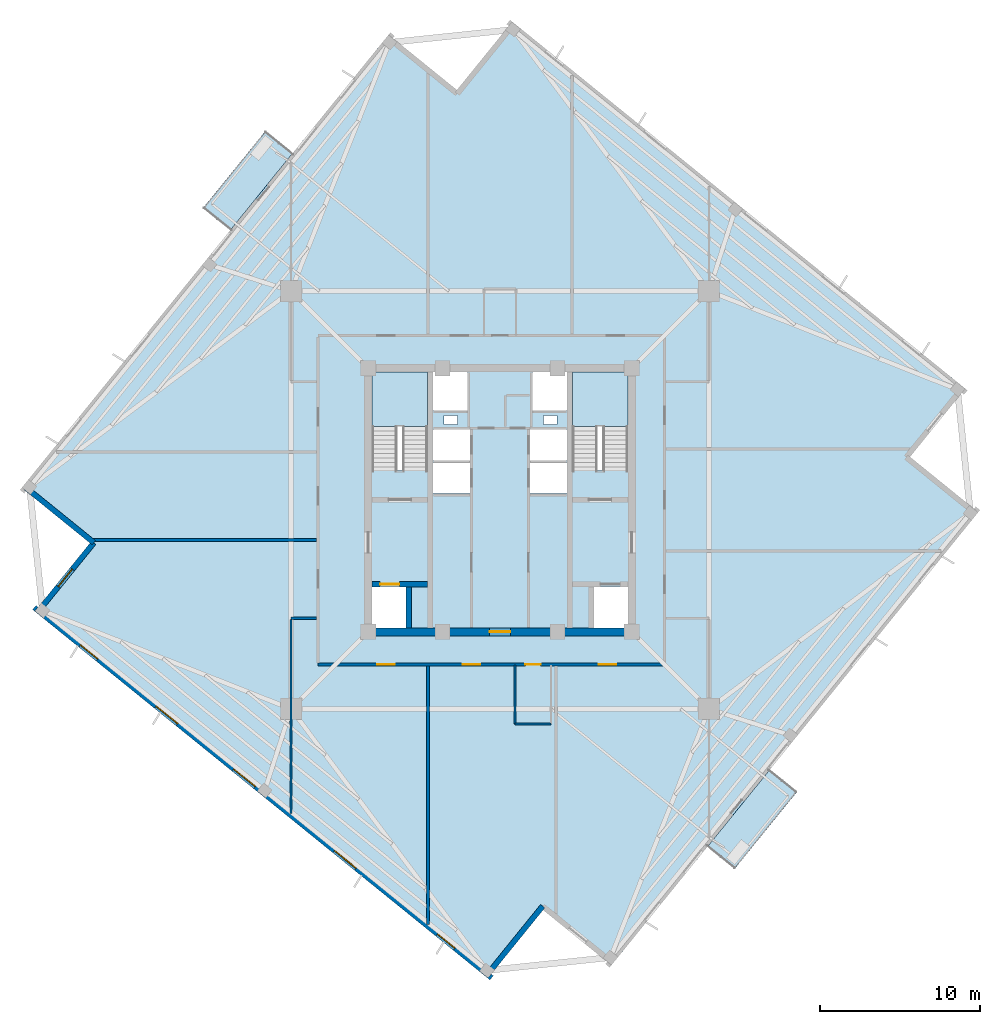
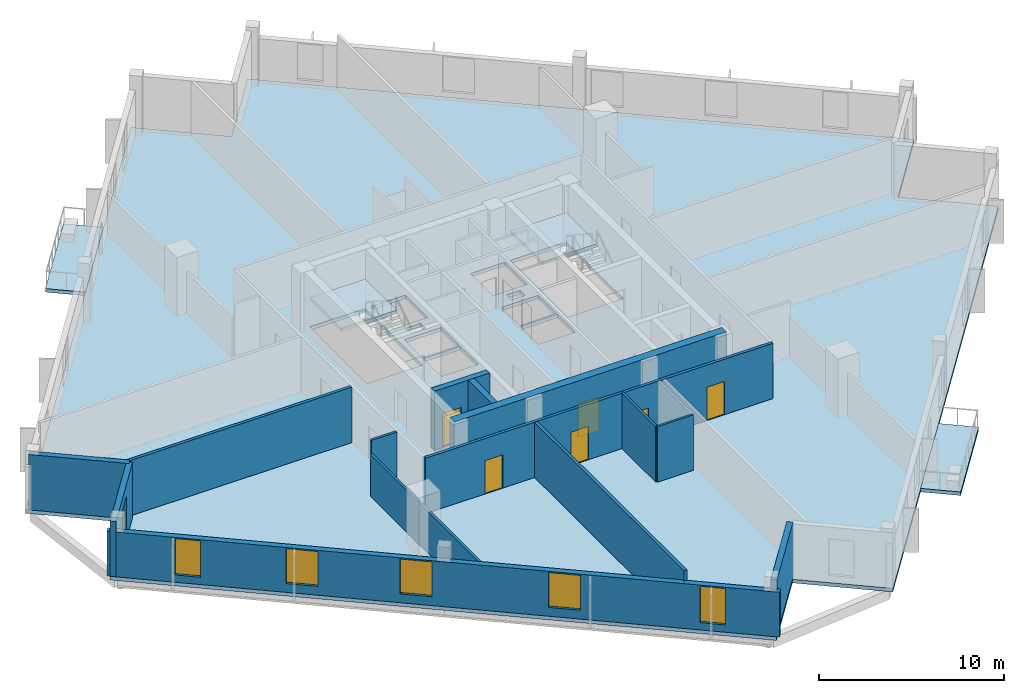
# One storey, part 2 of 9: 14 walls, 6 doors, 6 windows, 5 slabs, 12 openings, 2 elements without a shape of their own.
"""IFC4 building model written with IfcOpenShell, lengths in metres."""

from ifc_helpers import new_model, si_unit, direction, frame, frame_2d, origin, place, context, subcontext, project, spatial, polyline, rectangle, outline, extrude, source, transform, mapped, material, layer, layer_set, type_object, element, fill, aggregate, save


model = new_model("IFC4")

# Units and contexts
model_context = context("Model", 3, precision=1e-05, world=origin(), true_north=direction((0.0, 1.0)))
body_context = subcontext(model_context, "Body", "Model", "MODEL_VIEW")
ifc_project = project(units=[si_unit("LENGTHUNIT", "METRE"), si_unit("AREAUNIT", "SQUARE_METRE"), si_unit("VOLUMEUNIT", "CUBIC_METRE"), si_unit("PLANEANGLEUNIT", "RADIAN"), si_unit("MASSUNIT", "GRAM", prefix="KILO"), si_unit("THERMODYNAMICTEMPERATUREUNIT", "KELVIN")], contexts=[model_context])

# Site, building, storey
site_placement = place(None, origin())
site = spatial("IfcSite", under=ifc_project, at=site_placement, CompositionType="ELEMENT")
building_placement = place(site_placement, origin())
building = spatial("IfcBuilding", under=site, at=building_placement, Name="Kosmvard Interchange Tower", CompositionType="ELEMENT")
storey_placement = place(building_placement, frame((0.0, 0.0, 236.800048828125)))
storey = spatial("IfcBuildingStorey", under=building, at=storey_placement, Name="L57", CompositionType="ELEMENT", Elevation=236.800048828125)

# Slab
ifc_material_1 = material(Name="Concrete C50/60", Category="concrete")
ifc_layer_1 = layer(ifc_material_1, 0.239990234375, Name="Concrete C50/60")
ifc_layer_set_1 = layer_set([ifc_layer_1], Name="Concrete C50/60")
slab_type_1 = type_object("IfcSlabType", Name="High-Rise Suite Composite Slab 240 C50/60", PredefinedType="FLOOR", material=ifc_layer_set_1)
slab_1_placement = place(storey_placement, frame((0.0, 0.0, -0.239990234375)))
element("IfcSlab", 1, at=slab_1_placement, inside=storey, type_object=slab_type_1, Name="L57 Structural Floor Slab", PredefinedType="FLOOR", context=body_context, shape_type="SweptSolid", body=[
    extrude(outline(polyline([(6.97216796875, -29.12939453125), (29.9423828125, -0.763427734375), (25.66796875, 2.69775390625), (29.12939453125, 6.97216796875), (0.763427734375, 29.9423828125), (-2.69775390625, 25.66796875), (-6.97216796875, 29.12939453125), (-29.9423828125, 0.763427734375), (-25.66796875, -2.69775390625), (-29.12939453125, -6.97216796875), (-0.763427734375, -29.9423828125), (2.69775390625, -25.66796875), (6.97216796875, -29.12939453125)]), holes=[polyline([(-8.0, 1.8349609375), (-4.5400390625, 1.8349609375), (-4.5400390625, 8.0), (-8.0, 8.0), (-8.0, 1.8349609375)]), polyline([(4.5400390625, 1.8349609375), (8.0, 1.8349609375), (8.0, 8.0), (4.5400390625, 8.0), (4.5400390625, 1.8349609375)]), polyline([(-8.0, -8.0), (-5.800048828125, -8.0), (-5.800048828125, -5.39990234375), (-8.0, -5.39990234375), (-8.0, -8.0)]), polyline([(5.800048828125, -8.0), (8.0, -8.0), (8.0, -5.39990234375), (5.800048828125, -5.39990234375), (5.800048828125, -8.0)]), polyline([(-4.179931640625, 0.39990234375), (-1.8798828125, 0.39990234375), (-1.8798828125, 2.340087890625), (-4.179931640625, 2.340087890625), (-4.179931640625, 0.39990234375)]), polyline([(-4.179931640625, 2.4599609375), (-1.8798828125, 2.4599609375), (-1.8798828125, 4.39990234375), (-4.179931640625, 4.39990234375), (-4.179931640625, 2.4599609375)]), polyline([(1.8798828125, 0.39990234375), (4.179931640625, 0.39990234375), (4.179931640625, 2.340087890625), (1.8798828125, 2.340087890625), (1.8798828125, 0.39990234375)]), polyline([(1.8798828125, 2.4599609375), (4.179931640625, 2.4599609375), (4.179931640625, 4.39990234375), (1.8798828125, 4.39990234375), (1.8798828125, 2.4599609375)]), polyline([(-4.179931640625, 5.60009765625), (-2.0400390625, 5.60009765625), (-2.0400390625, 8.0), (-4.179931640625, 8.0), (-4.179931640625, 5.60009765625)]), polyline([(2.0400390625, 5.60009765625), (4.179931640625, 5.60009765625), (4.179931640625, 8.0), (2.0400390625, 8.0), (2.0400390625, 5.60009765625)]), polyline([(-3.514892578125, 4.739990234375), (-2.6650390625, 4.739990234375), (-2.6650390625, 5.2900390625), (-3.514892578125, 5.2900390625), (-3.514892578125, 4.739990234375)]), polyline([(2.715087890625, 4.739990234375), (3.56494140625, 4.739990234375), (3.56494140625, 5.2900390625), (2.715087890625, 5.2900390625), (2.715087890625, 4.739990234375)])]), origin(), (0.0, 0.0, 1.0), 0.239990234375),
])

# Stair, slab
stair_type = type_object("IfcStairType", Name="Dog-Leg Core Exit Stair H3900 C50/60", PredefinedType="HALF_TURN_STAIR", material=ifc_material_1)
stair_1_placement = place(storey_placement, origin())
stair_1 = element("IfcStair", 2, at=stair_1_placement, inside=storey, type_object=stair_type, Name="L57 Protected Exit Stair ST-1", PredefinedType="HALF_TURN_STAIR")
ifc_layer_2 = layer(ifc_material_1, 0.199951171875, Name="Concrete C50/60")
ifc_layer_set_2 = layer_set([ifc_layer_2], Name="Concrete C50/60")
slab_type_2 = type_object("IfcSlabType", Name="Stair Half-Landing Slab 200 C50/60", PredefinedType="LANDING", material=ifc_layer_set_2)
slab_2_placement = place(storey_placement, frame((0.0, 0.0, 1.75)))
slab_2 = element("IfcSlab", 3, at=slab_2_placement, type_object=slab_type_2, Name="ST-1 landing 1", PredefinedType="LANDING", context=body_context, shape_type="SweptSolid", body=[
    extrude(outline(polyline([(-4.5400390625, 4.60009765625), (-4.5400390625, 8.0), (-8.0, 8.0), (-8.0, 4.60009765625), (-4.5400390625, 4.60009765625)])), origin(), (0.0, 0.0, 1.0), 0.199951171875),
])
aggregate(stair_1, [slab_2])

stair_2_placement = place(storey_placement, origin())
stair_2 = element("IfcStair", 4, at=stair_2_placement, inside=storey, type_object=stair_type, Name="L57 Protected Exit Stair ST-2", PredefinedType="HALF_TURN_STAIR")
slab_3_placement = place(storey_placement, frame((0.0, 0.0, 1.75)))
slab_3 = element("IfcSlab", 5, at=slab_3_placement, type_object=slab_type_2, Name="ST-2 landing 1", PredefinedType="LANDING", context=body_context, shape_type="SweptSolid", body=[
    extrude(outline(polyline([(8.0, 4.60009765625), (8.0, 8.0), (4.5400390625, 8.0), (4.5400390625, 4.60009765625), (8.0, 4.60009765625)])), origin(), (0.0, 0.0, 1.0), 0.199951171875),
])
aggregate(stair_2, [slab_3])

# Slabs
ifc_layer_3 = layer(ifc_material_1, 0.22998046875, Name="Concrete C50/60")
ifc_layer_set_3 = layer_set([ifc_layer_3], Name="Concrete C50/60")
slab_type_3 = type_object("IfcSlabType", Name="Tree-Planter Cantilever Balcony Slab 230 C50/60", PredefinedType="FLOOR", material=ifc_layer_set_3)
slab_4_placement = place(storey_placement, frame((0.0, 0.0, -0.22998046875)))
element("IfcSlab", 6, at=slab_4_placement, inside=storey, type_object=slab_type_3, Name="L57 Outdoor Terrace Balcony Slab BAL-L57-N", PredefinedType="FLOOR", context=body_context, shape_type="SweptSolid", body=[
    extrude(outline(polyline([(-16.884033203125, 16.88916015625), (-12.982177734375, 21.70751953125), (-14.69189453125, 23.092041015625), (-18.59375, 18.273681640625), (-16.884033203125, 16.88916015625)])), origin(), (0.0, 0.0, 1.0), 0.22998046875),
])
slab_5_placement = place(storey_placement, frame((0.0, 0.0, -0.22998046875)))
element("IfcSlab", 7, at=slab_5_placement, inside=storey, type_object=slab_type_3, Name="L57 Outdoor Terrace Balcony Slab BAL-L57-S", PredefinedType="FLOOR", context=body_context, shape_type="SweptSolid", body=[
    extrude(outline(polyline([(14.69189453125, -23.092041015625), (18.59375, -18.273681640625), (16.884033203125, -16.88916015625), (12.982177734375, -21.70751953125), (14.69189453125, -23.092041015625)])), origin(), (0.0, 0.0, 1.0), 0.22998046875),
])

# Walls
ifc_material_2 = material(Name="Acoustic gypsum partition system")
ifc_layer_4 = layer(ifc_material_2, 0.14990234375, Name="Acoustic gypsum partition system")
ifc_layer_set_4 = layer_set([ifc_layer_4], Name="Acoustic gypsum partition system")
wall_type_1 = type_object("IfcWallType", Name="Acoustic Suite & Meeting Partition 150", PredefinedType="PARTITIONING", material=ifc_layer_set_4)
wall_1_placement = place(storey_placement, frame((-11.4951171875, -7.39990234375, 0.0), z_axis=(0.0, 0.0, 1.0), x_axis=(-1.0, 0.0, 0.0)))
element("IfcWall", 8, at=wall_1_placement, inside=storey, type_object=wall_type_1, Name="L57 Room Partition 15.1", PredefinedType="PARTITIONING", context=body_context, shape_type="SweptSolid", body=[
    extrude(rectangle(XDim=1.5859375, YDim=0.14990234375, at=frame_2d((0.79296875, 0.0))), origin(), (0.0, 0.0, 1.0), 3.659912109375),
])
wall_2_placement = place(storey_placement, frame((-13.0810546875, -7.47509765625, 0.0), z_axis=(0.0, 0.0, 1.0), x_axis=(0.0, -1.0, 0.0)))
element("IfcWall", 9, at=wall_2_placement, inside=storey, type_object=wall_type_1, Name="L57 Room Partition 16.1", PredefinedType="PARTITIONING", context=body_context, shape_type="SweptSolid", body=[
    extrude(rectangle(XDim=12.138916015625, YDim=0.14990234375, at=frame_2d((6.0693359375, 0.0))), origin(), (0.0, 0.0, 1.0), 2.760009765625),
])

# Wall, openings, doors
ifc_material_3 = material(Name="Fire-rated gypsum partition system")
ifc_layer_5 = layer(ifc_material_3, 0.179931640625, Name="Fire-rated gypsum partition system")
ifc_layer_set_5 = layer_set([ifc_layer_5], Name="Fire-rated gypsum partition system")
wall_type_2 = type_object("IfcWallType", Name="Corridor & Hotel Compartment Partition 180", PredefinedType="PARTITIONING", material=ifc_layer_set_5)
wall_3_placement = place(storey_placement, frame((-11.39990234375, -10.300048828125, 0.0), z_axis=(0.0, 0.0, 1.0), x_axis=(1.0, 0.0, 0.0)))
wall_3 = element("IfcWall", 10, at=wall_3_placement, inside=storey, type_object=wall_type_2, Name="L57 Corridor Wall CS", PredefinedType="PARTITIONING", context=body_context, shape_type="SweptSolid", body=[
    extrude(rectangle(XDim=21.699951171875, YDim=0.179931640625, at=frame_2d((10.85009765625, 0.0))), origin(), (0.0, 0.0, 1.0), 3.659912109375),
])
opening_1_placement = place(wall_3_placement, frame((12.989013671875, 0.0, 0.0)))
opening_1 = element("IfcOpeningElement", 11, at=opening_1_placement, cuts=wall_3, Name="Opening L57-D02", PredefinedType="OPENING", context=body_context, shape_type="SweptSolid", body=[
    extrude(rectangle(XDim=0.949951171875, YDim=2.10009765625, at=frame_2d((0.47509765625, 1.050048828125))), frame((0.0, 0.10009765625, 0.0), z_axis=(0.0, -1.0, 0.0), x_axis=(1.0, 0.0, 0.0)), (0.0, 0.0, 1.0), 0.199951171875),
])
opening_2_placement = place(wall_3_placement, frame((17.58544921875, 0.0, 0.0)))
opening_2 = element("IfcOpeningElement", 12, at=opening_2_placement, cuts=wall_3, Name="Opening L57-D10", PredefinedType="OPENING", context=body_context, shape_type="SweptSolid", body=[
    extrude(rectangle(XDim=1.10009765625, YDim=2.199951171875, at=frame_2d((0.550048828125, 1.10009765625))), frame((0.0, 0.10009765625, 0.0), z_axis=(0.0, -1.0, 0.0), x_axis=(1.0, 0.0, 0.0)), (0.0, 0.0, 1.0), 0.199951171875),
])
opening_3_placement = place(wall_3_placement, frame((9.075439453125, 0.0, 0.0)))
opening_3 = element("IfcOpeningElement", 13, at=opening_3_placement, cuts=wall_3, Name="Opening L57-D11", PredefinedType="OPENING", context=body_context, shape_type="SweptSolid", body=[
    extrude(rectangle(XDim=1.10009765625, YDim=2.199951171875, at=frame_2d((0.550048828125, 1.10009765625))), frame((0.0, 0.10009765625, 0.0), z_axis=(0.0, -1.0, 0.0), x_axis=(1.0, 0.0, 0.0)), (0.0, 0.0, 1.0), 0.199951171875),
])
opening_4_placement = place(wall_3_placement, frame((3.724365234375, 0.0, 0.0)))
opening_4 = element("IfcOpeningElement", 14, at=opening_4_placement, cuts=wall_3, Name="Opening L57-D12", PredefinedType="OPENING", context=body_context, shape_type="SweptSolid", body=[
    extrude(rectangle(XDim=1.10009765625, YDim=2.199951171875, at=frame_2d((0.550048828125, 1.10009765625))), frame((0.0, 0.10009765625, 0.0), z_axis=(0.0, -1.0, 0.0), x_axis=(1.0, 0.0, 0.0)), (0.0, 0.0, 1.0), 0.199951171875),
])
ifc_material_4 = material(Name="Laminated moisture-resistant timber", Category="wood")
door_type_1 = type_object("IfcDoorType", Name="Accessible Washroom Door 950x2100", OperationType="NOTDEFINED", PredefinedType="DOOR", material=ifc_material_4)
shared_shape_1 = source(origin(), body_context, "Body", "SweptSolid", [
    extrude(rectangle(XDim=0.949951171875, YDim=2.10009765625, at=frame_2d((0.47509765625, 1.050048828125))), frame((0.0, 0.02490234375, 0.0), z_axis=(0.0, -1.0, 0.0), x_axis=(1.0, 0.0, 0.0)), (0.0, 0.0, 1.0), 0.050048828125),
])
door_1_placement = place(opening_1_placement, frame((0.949951171875, 0.0, 0.0), z_axis=(0.0, 0.0, 1.0), x_axis=(-1.0, 0.0, 0.0)))
door_1 = element("IfcDoor", 15, at=door_1_placement, inside=storey, type_object=door_type_1, Name="L57 Public Floor Washroom Door", OperationType="SINGLE_SWING_RIGHT", OverallHeight=2.10009765625, OverallWidth=0.949951171875, PredefinedType="DOOR", context=body_context, shape_type="MappedRepresentation", body=[
    mapped(shared_shape_1, transform((0.0, 0.0, 0.0), scale=1.0)),
])
fill(opening_1, door_1)
ifc_material_5 = material(Name="Engineered oak fire-rated timber", Category="wood")
door_type_2 = type_object("IfcDoorType", Name="Office Suite Entrance Door 1100x2200 FD30S", OperationType="NOTDEFINED", PredefinedType="DOOR", material=ifc_material_5)
shared_shape_2 = source(origin(), body_context, "Body", "SweptSolid", [
    extrude(rectangle(XDim=1.10009765625, YDim=2.199951171875, at=frame_2d((0.550048828125, 1.10009765625))), frame((0.0, 0.02490234375, 0.0), z_axis=(0.0, -1.0, 0.0), x_axis=(1.0, 0.0, 0.0)), (0.0, 0.0, 1.0), 0.050048828125),
])
door_2_placement = place(opening_2_placement, frame((1.10009765625, 0.0, 0.0), z_axis=(0.0, 0.0, 1.0), x_axis=(-1.0, 0.0, 0.0)))
door_2 = element("IfcDoor", 16, at=door_2_placement, inside=storey, type_object=door_type_2, Name="L57 Sky Floor Reception Door", OperationType="SINGLE_SWING_RIGHT", OverallHeight=2.199951171875, OverallWidth=1.10009765625, PredefinedType="DOOR", context=body_context, shape_type="MappedRepresentation", body=[
    mapped(shared_shape_2, transform((0.0, 0.0, 0.0), scale=1.0)),
])
fill(opening_2, door_2)
door_3_placement = place(opening_3_placement, frame((1.10009765625, 0.0, 0.0), z_axis=(0.0, 0.0, 1.0), x_axis=(-1.0, 0.0, 0.0)))
door_3 = element("IfcDoor", 17, at=door_3_placement, inside=storey, type_object=door_type_2, Name="L57 South-West Corner Office Door", OperationType="SINGLE_SWING_LEFT", OverallHeight=2.199951171875, OverallWidth=1.10009765625, PredefinedType="DOOR", context=body_context, shape_type="MappedRepresentation", body=[
    mapped(shared_shape_2, transform((0.0, 0.0, 0.0), scale=1.0)),
])
fill(opening_3, door_3)
door_4_placement = place(opening_4_placement, frame((1.10009765625, 0.0, 0.0), z_axis=(0.0, 0.0, 1.0), x_axis=(-1.0, 0.0, 0.0)))
door_4 = element("IfcDoor", 18, at=door_4_placement, inside=storey, type_object=door_type_2, Name="L57 Executive Tea Pantry Door", OperationType="SINGLE_SWING_RIGHT", OverallHeight=2.199951171875, OverallWidth=1.10009765625, PredefinedType="DOOR", context=body_context, shape_type="MappedRepresentation", body=[
    mapped(shared_shape_2, transform((0.0, 0.0, 0.0), scale=1.0)),
])
fill(opening_4, door_4)

# Walls
wall_4_placement = place(storey_placement, frame((-4.5, -10.39501953125, 0.0), z_axis=(0.0, 0.0, 1.0), x_axis=(0.0, -1.0, 0.0)))
element("IfcWall", 19, at=wall_4_placement, inside=storey, type_object=wall_type_2, Name="L57 Room Partition 06.1", PredefinedType="PARTITIONING", context=body_context, shape_type="SweptSolid", body=[
    extrude(rectangle(XDim=16.167724609375, YDim=0.179931640625, at=frame_2d((8.083984375, 0.0))), origin(), (0.0, 0.0, 1.0), 3.659912109375),
])
wall_5_placement = place(storey_placement, frame((-11.4951171875, -2.5, 0.0), z_axis=(0.0, 0.0, 1.0), x_axis=(-1.0, 0.0, 0.0)))
element("IfcWall", 20, at=wall_5_placement, inside=storey, type_object=wall_type_2, Name="L57 Room Partition 07.1", PredefinedType="PARTITIONING", context=body_context, shape_type="SweptSolid", body=[
    extrude(rectangle(XDim=13.980224609375, YDim=0.179931640625, at=frame_2d((6.990234375, 0.0))), origin(), (0.0, 0.0, 1.0), 3.659912109375),
])
ifc_material_6 = material(Name="Precast concrete C45/55", Category="concrete")
ifc_layer_6 = layer(ifc_material_6, 0.340087890625, Name="Precast concrete C45/55")
ifc_layer_set_6 = layer_set([ifc_layer_6], Name="Precast concrete C45/55")
wall_type_3 = type_object("IfcWallType", Name="Mid Tower Precast Pier Wall 340 C45/55", PredefinedType="STANDARD", material=ifc_layer_set_6)
wall_6_placement = place(storey_placement, frame((-29.703125, 0.78857421875, 0.0), z_axis=(0.0, 0.0, 1.0), x_axis=(0.77714355312, -0.629323365087, 0.0)))
element("IfcWall", 21, at=wall_6_placement, inside=storey, type_object=wall_type_3, Name="L57 Precast Facade Wall N-NW1", PredefinedType="STANDARD", context=body_context, shape_type="SweptSolid", body=[
    extrude(rectangle(XDim=5.499755859375, YDim=0.340087890625, at=frame_2d((2.75, 0.0))), origin(), (0.0, 0.0, 1.0), 3.659912109375),
])

# Wall, opening, window
wall_7_placement = place(storey_placement, frame((-25.428955078125, -2.672607421875, 0.0), z_axis=(0.0, 0.0, 1.0), x_axis=(-0.629299794138, -0.777162640055, 0.0)))
wall_7 = element("IfcWall", 22, at=wall_7_placement, inside=storey, type_object=wall_type_3, Name="L57 Precast Facade Wall N-NW2", PredefinedType="STANDARD", context=body_context, shape_type="SweptSolid", body=[
    extrude(rectangle(XDim=5.669921875, YDim=0.340087890625, at=frame_2d((2.8349609375, 0.0))), origin(), (0.0, 0.0, 1.0), 3.659912109375),
])
opening_5_placement = place(wall_7_placement, frame((2.135009765625, 0.0, 0.47998046875)))
opening_5 = element("IfcOpeningElement", 23, at=opening_5_placement, cuts=wall_7, Name="Opening L57-W22", PredefinedType="OPENING", context=body_context, shape_type="SweptSolid", body=[
    extrude(rectangle(XDim=1.39990234375, YDim=2.39990234375, at=frame_2d((0.699951171875, 1.199951171875))), frame((0.0, 0.18017578125, 0.0), z_axis=(0.0, -1.0, 0.0), x_axis=(1.0, 0.0, 0.0)), (0.0, 0.0, 1.0), 0.360107421875),
])
ifc_material_7 = material(Name="Low-E solar-control double glazing", Category="glass")
window_type_1 = type_object("IfcWindowType", Name="Notched Corner Feature Window 1400x2400", PartitioningType="SINGLE_PANEL", PredefinedType="WINDOW", material=ifc_material_7)
shared_shape_3 = source(origin(), body_context, "Body", "SweptSolid", [
    extrude(rectangle(XDim=1.39990234375, YDim=2.39990234375, at=frame_2d((0.699951171875, 1.199951171875))), frame((0.0, 0.030029296875, 0.0), z_axis=(0.0, -1.0, 0.0), x_axis=(1.0, 0.0, 0.0)), (0.0, 0.0, 1.0), 0.06005859375),
])
window_1_placement = place(opening_5_placement, origin())
window_1 = element("IfcWindow", 24, at=window_1_placement, inside=storey, type_object=window_type_1, Name="L57 Corner Notch Window 22", OverallHeight=2.39990234375, OverallWidth=1.39990234375, PartitioningType="SINGLE_PANEL", PredefinedType="WINDOW", context=body_context, shape_type="MappedRepresentation", body=[
    mapped(shared_shape_3, transform((0.0, 0.0, 0.0), scale=1.0)),
])
fill(opening_5, window_1)

# Wall, openings, windows
wall_8_placement = place(storey_placement, frame((-29.154296875, -6.73291015625, 0.0), z_axis=(0.0, 0.0, 1.0), x_axis=(0.77714192302, -0.629325378072, 0.0)))
wall_8 = element("IfcWall", 25, at=wall_8_placement, inside=storey, type_object=wall_type_3, Name="L57 Precast Facade Wall F-W", PredefinedType="STANDARD", context=body_context, shape_type="SweptSolid", body=[
    extrude(rectangle(XDim=36.840087890625, YDim=0.340087890625, at=frame_2d((18.419921875, 0.0))), origin(), (0.0, 0.0, 1.0), 2.9599609375),
])
opening_6_placement = place(wall_8_placement, frame((3.720703125, 0.0, 0.47998046875)))
opening_6 = element("IfcOpeningElement", 26, at=opening_6_placement, cuts=wall_8, Name="Opening L57-W16", PredefinedType="OPENING", context=body_context, shape_type="SweptSolid", body=[
    extrude(rectangle(XDim=1.39990234375, YDim=2.39990234375, at=frame_2d((0.699951171875, 1.199951171875))), frame((0.0, 0.18017578125, 0.0), z_axis=(0.0, -1.0, 0.0), x_axis=(1.0, 0.0, 0.0)), (0.0, 0.0, 1.0), 0.360107421875),
])
opening_7_placement = place(wall_8_placement, frame((9.80859375, 0.0, 0.580078125)))
opening_7 = element("IfcOpeningElement", 27, at=opening_7_placement, cuts=wall_8, Name="Opening L57-W17", PredefinedType="OPENING", context=body_context, shape_type="SweptSolid", body=[
    extrude(rectangle(XDim=1.75, YDim=2.300048828125, at=frame_2d((0.875, 1.14990234375))), frame((0.0, 0.18017578125, 0.0), z_axis=(0.0, -1.0, 0.0), x_axis=(1.0, 0.0, 0.0)), (0.0, 0.0, 1.0), 0.360107421875),
])
opening_8_placement = place(wall_8_placement, frame((16.05810546875, 0.0, 0.580078125)))
opening_8 = element("IfcOpeningElement", 28, at=opening_8_placement, cuts=wall_8, Name="Opening L57-W18", PredefinedType="OPENING", context=body_context, shape_type="SweptSolid", body=[
    extrude(rectangle(XDim=1.75, YDim=2.300048828125, at=frame_2d((0.875, 1.14990234375))), frame((0.0, 0.18017578125, 0.0), z_axis=(0.0, -1.0, 0.0), x_axis=(1.0, 0.0, 0.0)), (0.0, 0.0, 1.0), 0.360107421875),
])
opening_9_placement = place(wall_8_placement, frame((24.17626953125, 0.0, 0.580078125)))
opening_9 = element("IfcOpeningElement", 29, at=opening_9_placement, cuts=wall_8, Name="Opening L57-W19", PredefinedType="OPENING", context=body_context, shape_type="SweptSolid", body=[
    extrude(rectangle(XDim=1.75, YDim=2.300048828125, at=frame_2d((0.875, 1.14990234375))), frame((0.0, 0.18017578125, 0.0), z_axis=(0.0, -1.0, 0.0), x_axis=(1.0, 0.0, 0.0)), (0.0, 0.0, 1.0), 0.360107421875),
])
opening_10_placement = place(wall_8_placement, frame((32.482421875, 0.0, 0.47998046875)))
opening_10 = element("IfcOpeningElement", 30, at=opening_10_placement, cuts=wall_8, Name="Opening L57-W20", PredefinedType="OPENING", context=body_context, shape_type="SweptSolid", body=[
    extrude(rectangle(XDim=1.39990234375, YDim=2.39990234375, at=frame_2d((0.699951171875, 1.199951171875))), frame((0.0, 0.18017578125, 0.0), z_axis=(0.0, -1.0, 0.0), x_axis=(1.0, 0.0, 0.0)), (0.0, 0.0, 1.0), 0.360107421875),
])
window_2_placement = place(opening_6_placement, origin())
window_2 = element("IfcWindow", 31, at=window_2_placement, inside=storey, type_object=window_type_1, Name="L57 Facade Punched Window 16", OverallHeight=2.39990234375, OverallWidth=1.39990234375, PartitioningType="SINGLE_PANEL", PredefinedType="WINDOW", context=body_context, shape_type="MappedRepresentation", body=[
    mapped(shared_shape_3, transform((0.0, 0.0, 0.0), scale=1.0)),
])
fill(opening_6, window_2)
window_3_placement = place(opening_10_placement, origin())
window_3 = element("IfcWindow", 32, at=window_3_placement, inside=storey, type_object=window_type_1, Name="L57 Facade Punched Window 20", OverallHeight=2.39990234375, OverallWidth=1.39990234375, PartitioningType="SINGLE_PANEL", PredefinedType="WINDOW", context=body_context, shape_type="MappedRepresentation", body=[
    mapped(shared_shape_3, transform((0.0, 0.0, 0.0), scale=1.0)),
])
fill(opening_10, window_3)
window_type_2 = type_object("IfcWindowType", Name="Zone 4 Suite Punched Window 1750x2300", PartitioningType="SINGLE_PANEL", PredefinedType="WINDOW", material=ifc_material_7)
shared_shape_4 = source(origin(), body_context, "Body", "SweptSolid", [
    extrude(rectangle(XDim=1.75, YDim=2.300048828125, at=frame_2d((0.875, 1.14990234375))), frame((0.0, 0.030029296875, 0.0), z_axis=(0.0, -1.0, 0.0), x_axis=(1.0, 0.0, 0.0)), (0.0, 0.0, 1.0), 0.06005859375),
])
window_4_placement = place(opening_7_placement, origin())
window_4 = element("IfcWindow", 33, at=window_4_placement, inside=storey, type_object=window_type_2, Name="L57 Facade Punched Window 17", OverallHeight=2.300048828125, OverallWidth=1.75, PartitioningType="SINGLE_PANEL", PredefinedType="WINDOW", context=body_context, shape_type="MappedRepresentation", body=[
    mapped(shared_shape_4, transform((0.0, 0.0, 0.0), scale=1.0)),
])
fill(opening_7, window_4)
window_5_placement = place(opening_8_placement, origin())
window_5 = element("IfcWindow", 34, at=window_5_placement, inside=storey, type_object=window_type_2, Name="L57 Facade Punched Window 18", OverallHeight=2.300048828125, OverallWidth=1.75, PartitioningType="SINGLE_PANEL", PredefinedType="WINDOW", context=body_context, shape_type="MappedRepresentation", body=[
    mapped(shared_shape_4, transform((0.0, 0.0, 0.0), scale=1.0)),
])
fill(opening_8, window_5)
window_6_placement = place(opening_9_placement, origin())
window_6 = element("IfcWindow", 35, at=window_6_placement, inside=storey, type_object=window_type_2, Name="L57 Facade Punched Window 19", OverallHeight=2.300048828125, OverallWidth=1.75, PartitioningType="SINGLE_PANEL", PredefinedType="WINDOW", context=body_context, shape_type="MappedRepresentation", body=[
    mapped(shared_shape_4, transform((0.0, 0.0, 0.0), scale=1.0)),
])
fill(opening_9, window_6)

# Wall
wall_9_placement = place(storey_placement, frame((-0.78857421875, -29.703125, 0.0), z_axis=(0.0, 0.0, 1.0), x_axis=(0.629323365087, 0.77714355312, 0.0)))
element("IfcWall", 36, at=wall_9_placement, inside=storey, type_object=wall_type_3, Name="L57 Precast Facade Wall N-SW1", PredefinedType="STANDARD", context=body_context, shape_type="SweptSolid", body=[
    extrude(rectangle(XDim=5.499755859375, YDim=0.340087890625, at=frame_2d((2.75, 0.0))), origin(), (0.0, 0.0, 1.0), 3.659912109375),
])

# Wall, opening, door
ifc_material_8 = material(Name="Concrete C60/75", Category="concrete")
ifc_layer_7 = layer(ifc_material_8, 0.360107421875, Name="Concrete C60/75")
ifc_layer_set_7 = layer_set([ifc_layer_7], Name="Concrete C60/75")
wall_type_4 = type_object("IfcWallType", Name="Stair & Lift Shaft Shear Wall 360 C60/75", PredefinedType="SHEAR", material=ifc_layer_set_7)
wall_10_placement = place(storey_placement, frame((-8.0, -5.280029296875, 0.0), z_axis=(0.0, 0.0, 1.0), x_axis=(1.0, 0.0, 0.0)))
wall_10 = element("IfcWall", 37, at=wall_10_placement, inside=storey, type_object=wall_type_4, Name="L57 Shaft Shear Wall SW-FF1", PredefinedType="SHEAR", context=body_context, shape_type="SweptSolid", body=[
    extrude(rectangle(XDim=3.4599609375, YDim=0.360107421875, at=frame_2d((1.72998046875, 0.0))), origin(), (0.0, 0.0, 1.0), 3.89990234375),
])
opening_11_placement = place(wall_10_placement, frame((0.5, 0.0, 0.0)))
opening_11 = element("IfcOpeningElement", 38, at=opening_11_placement, cuts=wall_10, Name="Opening LD-FF-1-L57", PredefinedType="OPENING", context=body_context, shape_type="SweptSolid", body=[
    extrude(rectangle(XDim=1.199951171875, YDim=2.25, at=frame_2d((0.60009765625, 1.125))), frame((0.0, 0.18994140625, 0.0), z_axis=(0.0, -1.0, 0.0), x_axis=(1.0, 0.0, 0.0)), (0.0, 0.0, 1.0), 0.380126953125),
])
ifc_material_9 = material(Name="Brushed stainless steel sliding leaf", Category="steel")
door_type_3 = type_object("IfcDoorType", Name="Firefighting Lift Sliding Landing Door 1200x2250 EI120", OperationType="DOUBLE_DOOR_SLIDING", PredefinedType="DOOR", material=ifc_material_9)
shared_shape_5 = source(origin(), body_context, "Body", "SweptSolid", [
    extrude(rectangle(XDim=1.199951171875, YDim=2.25, at=frame_2d((0.60009765625, 1.125))), frame((0.0, 0.02490234375, 0.0), z_axis=(0.0, -1.0, 0.0), x_axis=(1.0, 0.0, 0.0)), (0.0, 0.0, 1.0), 0.050048828125),
])
door_5_placement = place(opening_11_placement, origin())
door_5 = element("IfcDoor", 39, at=door_5_placement, inside=storey, type_object=door_type_3, Name="Lift FF-1 Landing Door L57", OperationType="DOUBLE_DOOR_SLIDING", OverallHeight=2.25, OverallWidth=1.199951171875, PredefinedType="DOOR", context=body_context, shape_type="MappedRepresentation", body=[
    mapped(shared_shape_5, transform((0.0, 0.0, 0.0), scale=1.0)),
])
fill(opening_11, door_5)

# Wall
wall_11_placement = place(storey_placement, frame((-5.7099609375, -8.0, 0.0), z_axis=(0.0, 0.0, 1.0), x_axis=(0.0, 1.0, 0.0)))
element("IfcWall", 40, at=wall_11_placement, inside=storey, type_object=wall_type_4, Name="L57 Shaft Shear Wall SW-SM1", PredefinedType="SHEAR", context=body_context, shape_type="SweptSolid", body=[
    extrude(rectangle(XDim=2.5400390625, YDim=0.360107421875, at=frame_2d((1.27001953125, 0.0))), origin(), (0.0, 0.0, 1.0), 3.89990234375),
])

# Wall, opening, door
ifc_layer_8 = layer(ifc_material_8, 0.5, Name="Concrete C60/75")
ifc_layer_set_8 = layer_set([ifc_layer_8], Name="Concrete C60/75")
wall_type_5 = type_object("IfcWallType", Name="Upper Core Shear Wall 500 C60/75", PredefinedType="SHEAR", material=ifc_layer_set_8)
wall_12_placement = place(storey_placement, frame((-8.5, -8.25, 0.0), z_axis=(0.0, 0.0, 1.0), x_axis=(1.0, 0.0, 0.0)))
wall_12 = element("IfcWall", 41, at=wall_12_placement, inside=storey, type_object=wall_type_5, Name="L57 Core Shear Wall CW-S", PredefinedType="SHEAR", context=body_context, shape_type="SweptSolid", body=[
    extrude(rectangle(XDim=17.0, YDim=0.5, at=frame_2d((8.5, 0.0))), origin(), (0.0, 0.0, 1.0), 3.89990234375),
])
opening_12_placement = place(wall_12_placement, frame((7.85009765625, 0.0, 0.0)))
opening_12 = element("IfcOpeningElement", 42, at=opening_12_placement, cuts=wall_12, Name="Opening L57-LD0", PredefinedType="OPENING", context=body_context, shape_type="SweptSolid", body=[
    extrude(rectangle(XDim=1.300048828125, YDim=2.199951171875, at=frame_2d((0.64990234375, 1.10009765625))), frame((0.0, 0.260009765625, 0.0), z_axis=(0.0, -1.0, 0.0), x_axis=(1.0, 0.0, 0.0)), (0.0, 0.0, 1.0), 0.52001953125),
])
ifc_material_10 = material(Name="Painted fire-rated steel leaf", Category="steel")
door_type_4 = type_object("IfcDoorType", Name="Firefighting Lobby Door 1300x2200 EI60", OperationType="NOTDEFINED", PredefinedType="DOOR", material=ifc_material_10)
shared_shape_6 = source(origin(), body_context, "Body", "SweptSolid", [
    extrude(rectangle(XDim=1.300048828125, YDim=2.199951171875, at=frame_2d((0.64990234375, 1.10009765625))), frame((0.0, 0.02490234375, 0.0), z_axis=(0.0, -1.0, 0.0), x_axis=(1.0, 0.0, 0.0)), (0.0, 0.0, 1.0), 0.050048828125),
])
door_6_placement = place(opening_12_placement, frame((1.300048828125, 0.0, 0.0), z_axis=(0.0, 0.0, 1.0), x_axis=(-1.0, 0.0, 0.0)))
door_6 = element("IfcDoor", 43, at=door_6_placement, inside=storey, type_object=door_type_4, Name="L57 Passenger Lift Lobby South Door", OperationType="SINGLE_SWING_RIGHT", OverallHeight=2.199951171875, OverallWidth=1.300048828125, PredefinedType="DOOR", context=body_context, shape_type="MappedRepresentation", body=[
    mapped(shared_shape_6, transform((0.0, 0.0, 0.0), scale=1.0)),
])
fill(opening_12, door_6)

# Walls
ifc_material_11 = material(Name="Moisture-resistant gypsum partition")
ifc_layer_9 = layer(ifc_material_11, 0.135009765625, Name="Moisture-resistant gypsum partition")
ifc_layer_set_9 = layer_set([ifc_layer_9], Name="Moisture-resistant gypsum partition")
wall_type_6 = type_object("IfcWallType", Name="Wet Room Moisture-Resistant Partition 135", PredefinedType="PARTITIONING", material=ifc_layer_set_9)
wall_13_placement = place(storey_placement, frame((0.93896484375, -14.02001953125, 0.0), z_axis=(0.0, 0.0, 1.0), x_axis=(1.0, 0.0, 0.0)))
element("IfcWall", 44, at=wall_13_placement, inside=storey, type_object=wall_type_6, Name="L57 Washroom Partition WC1-S", PredefinedType="PARTITIONING", context=body_context, shape_type="SweptSolid", body=[
    extrude(rectangle(XDim=2.25, YDim=0.135009765625, at=frame_2d((1.125, 0.0))), origin(), (0.0, 0.0, 1.0), 3.659912109375),
])
wall_14_placement = place(storey_placement, frame((0.93896484375, -14.02001953125, 0.0), z_axis=(0.0, 0.0, 1.0), x_axis=(0.0, 1.0, 0.0)))
element("IfcWall", 45, at=wall_14_placement, inside=storey, type_object=wall_type_6, Name="L57 Washroom Partition WC1-W", PredefinedType="PARTITIONING", context=body_context, shape_type="SweptSolid", body=[
    extrude(rectangle(XDim=3.699951171875, YDim=0.135009765625, at=frame_2d((1.85009765625, 0.0))), origin(), (0.0, 0.0, 1.0), 3.659912109375),
])

save(model, "model.ifc")
